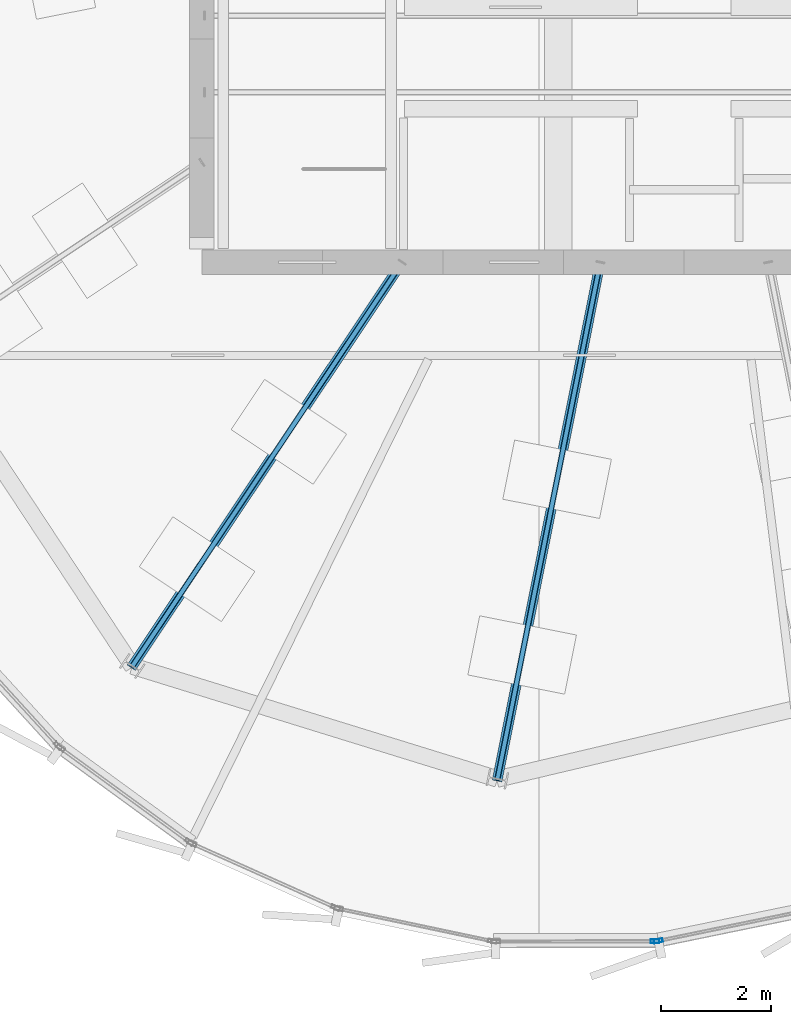
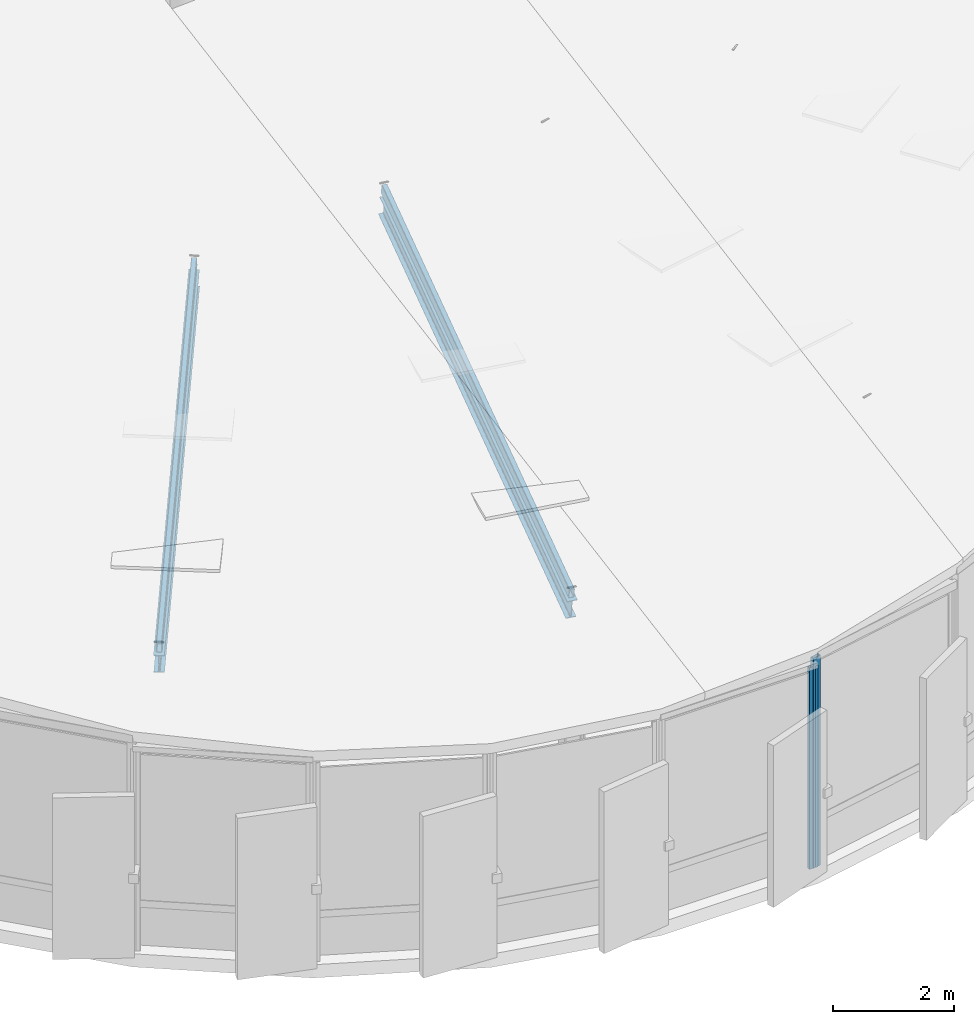
# One storey, part 5 of 36: 4 members, 2 beams, 2 elements without a shape of their own.
"""IFC4 building model written with IfcOpenShell, lengths in metres."""

from ifc_helpers import new_model, si_unit, direction, frame, origin, origin_2d, place, context, subcontext, project, spatial, hollow_rectangle, i_section, extrude, source, transform, mapped, material, layer, layer_set, material_profile, profile_set, type_object, element, aggregate, save


model = new_model("IFC4")

# Units and contexts
model_context = context("Model", 3, precision=1e-05, world=origin(), true_north=direction((0.0, 1.0)))
body_context = subcontext(model_context, "Body", "Model", "MODEL_VIEW")
ifc_project = project(units=[si_unit("LENGTHUNIT", "METRE"), si_unit("AREAUNIT", "SQUARE_METRE"), si_unit("VOLUMEUNIT", "CUBIC_METRE"), si_unit("PLANEANGLEUNIT", "RADIAN"), si_unit("MASSUNIT", "GRAM", prefix="KILO"), si_unit("THERMODYNAMICTEMPERATUREUNIT", "KELVIN")], contexts=[model_context])

# Site, building, storey
site_placement = place(None, origin())
site = spatial("IfcSite", under=ifc_project, at=site_placement, CompositionType="ELEMENT")
building_placement = place(site_placement, origin())
building = spatial("IfcBuilding", under=site, at=building_placement, Name="Kethvar Cultural Tower", CompositionType="ELEMENT")
storey_placement = place(building_placement, frame((0.0, 0.0, 324.300048828125)))
storey = spatial("IfcBuildingStorey", under=building, at=storey_placement, Name="L86", CompositionType="ELEMENT", Elevation=324.300048828125)

# Beams
ifc_material_1 = material(Name="Steel S355J2", Category="steel")
ifc_material_profile_1 = material_profile(ifc_material_1, i_section(OverallWidth=0.179931640625, OverallDepth=0.39990234375, WebThickness=0.008544921875, FlangeThickness=0.013427734375, FilletRadius=0.02099609375, at=origin_2d()), Name="Steel S355J2 — IPE400")
ifc_profile_set_1 = profile_set([ifc_material_profile_1], Name="Steel S355J2 — IPE400")
beam_type = type_object("IfcBeamType", Name="BM-IPE400", PredefinedType="BEAM", material=ifc_profile_set_1)
shared_shape_1 = source(origin(), body_context, "Body", "SweptSolid", [
    extrude(i_section(OverallWidth=0.179931640625, OverallDepth=0.39990234375, WebThickness=0.008544921875, FlangeThickness=0.013427734375, FilletRadius=0.02099609375, at=origin_2d()), origin(), (0.0, 0.0, 1.0), 9.00146484375),
])
beam_1_placement = place(storey_placement, frame((41.655029296875, 20.10009765625, 5.957763671875), z_axis=(-0.546997414511, -0.81865182267, -0.174937193752), x_axis=(0.831473480764, -0.555564443415, 0.0)))
element("IfcBeam", 1, at=beam_1_placement, inside=storey, type_object=beam_type, Name="Crown Sloped Radial Rafter RB-11", PredefinedType="BEAM", context=body_context, shape_type="MappedRepresentation", body=[
    mapped(shared_shape_1, transform((0.0, 0.0, 0.0), scale=1.0)),
])
shared_shape_2 = source(origin(), body_context, "Body", "SweptSolid", [
    extrude(i_section(OverallWidth=0.179931640625, OverallDepth=0.39990234375, WebThickness=0.008544921875, FlangeThickness=0.013427734375, FilletRadius=0.02099609375, at=origin_2d()), origin(), (0.0, 0.0, 1.0), 9.7744140625),
])
beam_2_placement = place(storey_placement, frame((45.268310546875, 20.10009765625, 6.167724609375), z_axis=(-0.19187842054, -0.964637412296, -0.180713404401), x_axis=(0.980785259159, -0.195090428816, 0.0)))
element("IfcBeam", 2, at=beam_2_placement, inside=storey, type_object=beam_type, Name="Crown Sloped Radial Rafter RB-12", PredefinedType="BEAM", context=body_context, shape_type="MappedRepresentation", body=[
    mapped(shared_shape_2, transform((0.0, 0.0, 0.0), scale=1.0)),
])

# Members
ifc_material_profile_2 = material_profile(ifc_material_1, hollow_rectangle(XDim=0.10009765625, YDim=0.199951171875, WallThickness=0.008056640625, InnerFilletRadius=0.008056640625, OuterFilletRadius=0.01611328125, at=origin_2d()), Name="Steel S355J2 — RHS200x100x8")
ifc_profile_set_2 = profile_set([ifc_material_profile_2], Name="Steel S355J2 — RHS200x100x8")
member_type_1 = type_object("IfcMemberType", Name="MB-GLAZ-200", PredefinedType="PURLIN", material=ifc_profile_set_2)
shared_shape_3 = source(origin(), body_context, "Body", "SweptSolid", [
    extrude(hollow_rectangle(XDim=0.10009765625, YDim=0.199951171875, WallThickness=0.008056640625, InnerFilletRadius=0.008056640625, OuterFilletRadius=0.01611328125, at=origin_2d()), origin(), (0.0, 0.0, 1.0), 9.002197265625),
])
member_1_placement = place(storey_placement, frame((41.655029296875, 20.10009765625, 6.281005859375), z_axis=(-0.546963644559, -0.818601281603, -0.175278958488), x_axis=(0.831473480764, -0.555564443415, 0.0)))
element("IfcMember", 3, at=member_1_placement, inside=storey, type_object=member_type_1, Name="Sloped Crown Skylight Glazing Mullion Bar GB-11", PredefinedType="PURLIN", context=body_context, shape_type="MappedRepresentation", body=[
    mapped(shared_shape_3, transform((0.0, 0.0, 0.0), scale=1.0)),
])
shared_shape_4 = source(origin(), body_context, "Body", "SweptSolid", [
    extrude(hollow_rectangle(XDim=0.10009765625, YDim=0.199951171875, WallThickness=0.008056640625, InnerFilletRadius=0.008056640625, OuterFilletRadius=0.01611328125, at=origin_2d()), origin(), (0.0, 0.0, 1.0), 9.7744140625),
])
member_2_placement = place(storey_placement, frame((45.268310546875, 20.10009765625, 6.487548828125), z_axis=(-0.191879286587, -0.964641766204, -0.180689242276), x_axis=(0.980785259159, -0.195090428816, 0.0)))
element("IfcMember", 4, at=member_2_placement, inside=storey, type_object=member_type_1, Name="Sloped Crown Skylight Glazing Mullion Bar GB-12", PredefinedType="PURLIN", context=body_context, shape_type="MappedRepresentation", body=[
    mapped(shared_shape_4, transform((0.0, 0.0, 0.0), scale=1.0)),
])

# Curtain wall, member
ifc_material_2 = material(Name="Aluminium 6063-T6", Category="aluminium")
ifc_layer = layer(ifc_material_2, 0.179931640625, Name="Aluminium 6063-T6", Category="aluminium")
ifc_layer_set = layer_set([ifc_layer], Name="Aluminium 6063-T6 (180 mm)")
curtain_wall_type = type_object("IfcCurtainWallType", Name="CW-SYS-06-CROWN", PredefinedType="NOTDEFINED", material=ifc_layer_set)
curtain_wall_1_placement = place(storey_placement, origin())
curtain_wall_1 = element("IfcCurtainWall", 5, at=curtain_wall_1_placement, inside=storey, type_object=curtain_wall_type, Name="L86 Curtain Wall Run 21", PredefinedType="NOTDEFINED")
ifc_material_profile_3 = material_profile(ifc_material_2, hollow_rectangle(XDim=0.06494140625, YDim=0.159912109375, WallThickness=0.0048828125, at=origin_2d()), Name="Aluminium 6063-T6 — RHS160x65x5")
ifc_profile_set_3 = profile_set([ifc_material_profile_3], Name="Aluminium 6063-T6 — RHS160x65x5")
member_type_2 = type_object("IfcMemberType", Name="CW-SYS-06-CROWN-MUL", PredefinedType="MULLION", material=ifc_profile_set_3)
shared_shape_5 = source(origin(), body_context, "Body", "SweptSolid", [
    extrude(hollow_rectangle(XDim=0.06494140625, YDim=0.159912109375, WallThickness=0.0048828125, at=origin_2d()), origin(), (0.0, 0.0, 1.0), 4.226318359375),
])
member_3_placement = place(storey_placement, frame((46.328125, 7.717041015625, 0.0), z_axis=(0.0, 0.0, 1.0), x_axis=(-0.201624987785, 0.97946279373, 0.0)))
member_3 = element("IfcMember", 6, at=member_3_placement, type_object=member_type_2, Name="CW-L86-R21 Mullion 1", PredefinedType="MULLION", context=body_context, shape_type="MappedRepresentation", body=[
    mapped(shared_shape_5, transform((0.0, 0.0, 0.0), scale=1.0)),
])
aggregate(curtain_wall_1, [member_3])

curtain_wall_2_placement = place(storey_placement, origin())
curtain_wall_2 = element("IfcCurtainWall", 7, at=curtain_wall_2_placement, inside=storey, type_object=curtain_wall_type, Name="L86 Curtain Wall Run 20", PredefinedType="NOTDEFINED")
shared_shape_6 = source(origin(), body_context, "Body", "SweptSolid", [
    extrude(hollow_rectangle(XDim=0.06494140625, YDim=0.159912109375, WallThickness=0.0048828125, at=origin_2d()), origin(), (0.0, 0.0, 1.0), 4.05419921875),
])
member_4_placement = place(storey_placement, frame((46.268310546875, 7.7109375, 0.0), z_axis=(0.0, 0.0, 1.0), x_axis=(-0.001745328366, 0.999998476913, 0.0)))
member_4 = element("IfcMember", 8, at=member_4_placement, type_object=member_type_2, Name="CW-L86-R20 Mullion 2", PredefinedType="MULLION", context=body_context, shape_type="MappedRepresentation", body=[
    mapped(shared_shape_6, transform((0.0, 0.0, 0.0), scale=1.0)),
])
aggregate(curtain_wall_2, [member_4])

save(model, "model.ifc")
